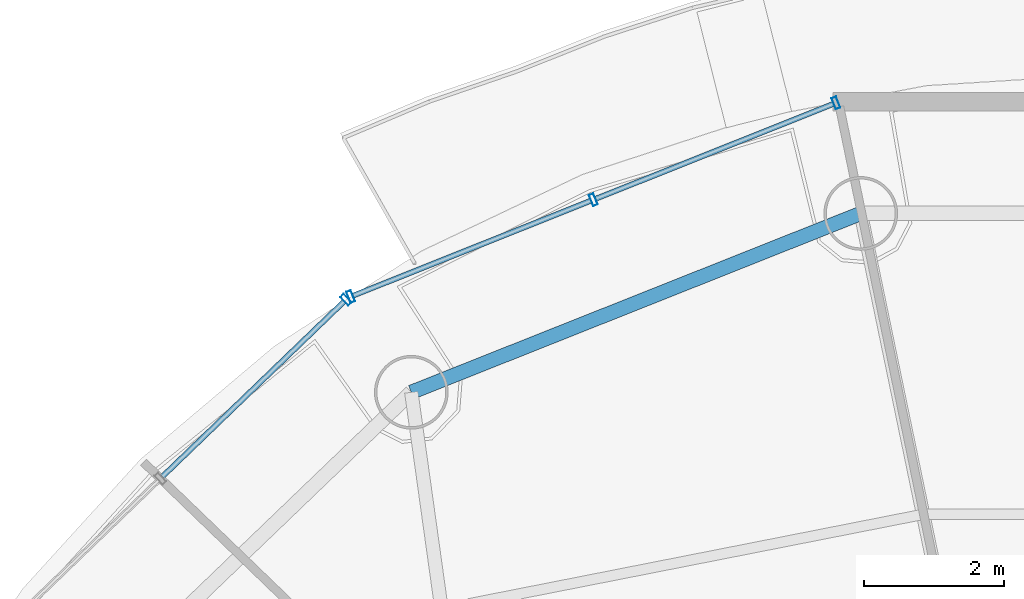
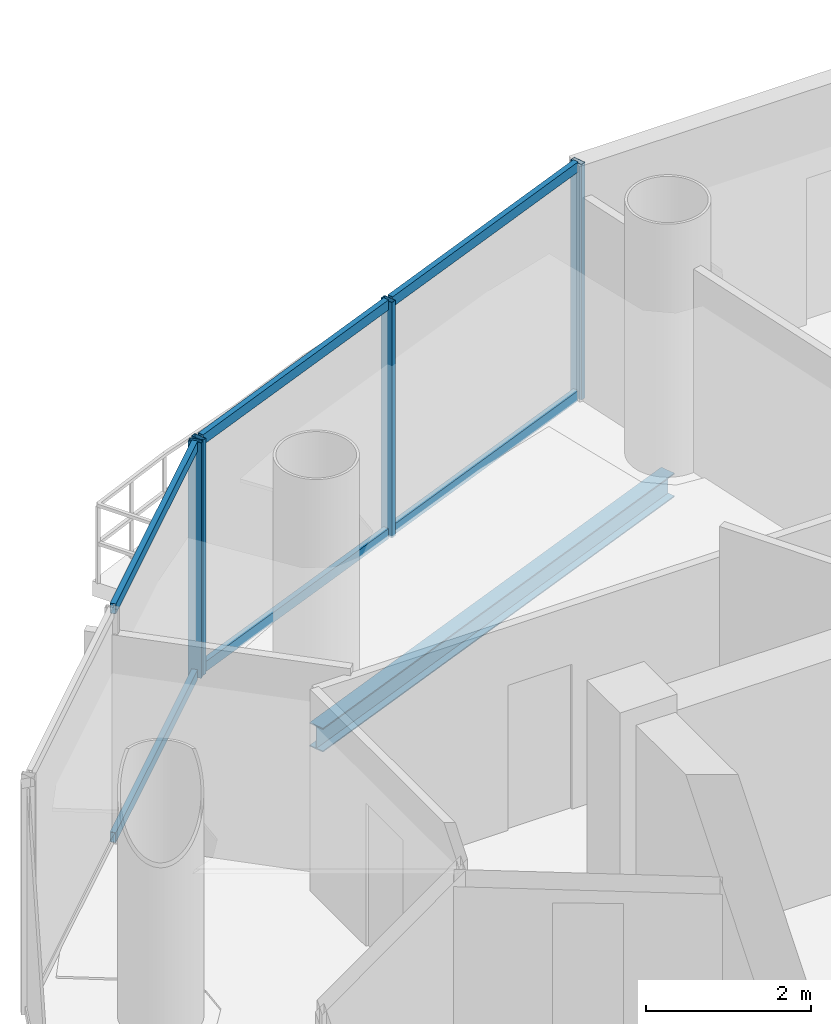
# One storey, part 13 of 23: 10 members, 1 beam, 2 elements without a shape of their own.
"""IFC4 building model written with IfcOpenShell, lengths in metres."""

from ifc_helpers import new_model, si_unit, direction, frame, origin, origin_2d, place, context, subcontext, project, spatial, hollow_rectangle, i_section, extrude, source, transform, mapped, material, material_profile, profile_set, type_object, element, aggregate, save


model = new_model("IFC4")

# Units and contexts
model_context = context("Model", 3, precision=1e-05, world=origin(), true_north=direction((-0.2419218956, 0.970295726276)))
body_context = subcontext(model_context, "Body", "Model", "MODEL_VIEW")
ifc_project = project(units=[si_unit("LENGTHUNIT", "METRE"), si_unit("AREAUNIT", "SQUARE_METRE"), si_unit("VOLUMEUNIT", "CUBIC_METRE"), si_unit("PLANEANGLEUNIT", "RADIAN"), si_unit("MASSUNIT", "GRAM", prefix="KILO")], contexts=[model_context])

# Site, building, storey
site_placement = place(None, origin())
site = spatial("IfcSite", under=ifc_project, at=site_placement, CompositionType="ELEMENT")
building_placement = place(site_placement, origin())
building = spatial("IfcBuilding", under=site, at=building_placement, Name="Cobrevalo Terracotta Tower", CompositionType="ELEMENT")
storey_placement = place(building_placement, frame((0.0, 0.0, 266.949951171875)))
storey = spatial("IfcBuildingStorey", under=building, at=storey_placement, Name="L70", CompositionType="ELEMENT", Elevation=266.949951171875)

# Beam
ifc_material_1 = material(Name="Steel S355", Category="steel")
ifc_material_profile_1 = material_profile(ifc_material_1, i_section(OverallWidth=0.205078125, OverallDepth=0.35400390625, WebThickness=0.009521484375, FlangeThickness=0.016845703125, at=origin_2d()), Name="W 360x79")
ifc_profile_set_1 = profile_set([ifc_material_profile_1], Name="Steel S355")
beam_type = type_object("IfcBeamType", Name="Structural Spandrel W 360x79 (Steel S355)", PredefinedType="SPANDREL", material=ifc_profile_set_1)
beam_placement = place(storey_placement, frame((34.537109375, 43.5224609375, -0.43701171875), z_axis=(-0.929149986048, -0.369702993533, 0.0), x_axis=(0.369702993533, -0.929149986048, 0.0)))
element("IfcBeam", 1, at=beam_placement, inside=storey, type_object=beam_type, Name="L70 perimeter ring spandrel 05", PredefinedType="SPANDREL", context=body_context, shape_type="SweptSolid", body=[
    extrude(i_section(OverallWidth=0.205078125, OverallDepth=0.35400390625, WebThickness=0.009521484375, FlangeThickness=0.016845703125, at=origin_2d()), origin(), (0.0, 0.0, 1.0), 6.88623046875),
])

# Curtain wall, members
ifc_material_2 = material(Name="Anodized aluminium", Category="aluminium")
curtain_wall_type = type_object("IfcCurtainWallType", Name="Upper-tower triple-glazed penthouse curtain wall CW-U3", PredefinedType="NOTDEFINED", material=ifc_material_2)
curtain_wall_1_placement = place(storey_placement, origin())
curtain_wall_1 = element("IfcCurtainWall", 2, at=curtain_wall_1_placement, inside=storey, type_object=curtain_wall_type, Name="L70 curtain wall CW-L70-S05", PredefinedType="NOTDEFINED")
ifc_material_profile_2 = material_profile(ifc_material_2, hollow_rectangle(XDim=0.070068359375, YDim=0.169921875, WallThickness=0.00439453125, at=origin_2d()), Name="CWM 70x170")
ifc_profile_set_2 = profile_set([ifc_material_profile_2], Name="Anodized aluminium")
member_type_1 = type_object("IfcMemberType", Name="Upper tower unitised mullion 70x170", PredefinedType="MULLION", material=ifc_profile_set_2)
shared_shape_1 = source(origin(), body_context, "Body", "SweptSolid", [
    extrude(hollow_rectangle(XDim=0.070068359375, YDim=0.169921875, WallThickness=0.00439453125, at=origin_2d()), origin(), (0.0, 0.0, 1.0), 3.489990234375),
])
member_1_placement = place(storey_placement, frame((34.183837890625, 45.096435546875, 0.0), z_axis=(0.0, 0.0, 1.0), x_axis=(-0.928718980883, -0.370784377433, 0.0)))
member_1 = element("IfcMember", 3, at=member_1_placement, type_object=member_type_1, Name="CW-L70-S05 vertical mullion 01", PredefinedType="MULLION", context=body_context, shape_type="MappedRepresentation", body=[
    mapped(shared_shape_1, transform((0.0, 0.0, 0.0), scale=1.0)),
])
member_2_placement = place(storey_placement, frame((30.729736328125, 43.71728515625, 0.0), z_axis=(0.0, 0.0, 1.0), x_axis=(-0.928718980883, -0.370784377433, 0.0)))
member_2 = element("IfcMember", 4, at=member_2_placement, type_object=member_type_1, Name="CW-L70-S05 vertical mullion 02", PredefinedType="MULLION", context=body_context, shape_type="MappedRepresentation", body=[
    mapped(shared_shape_1, transform((0.0, 0.0, 0.0), scale=1.0)),
])
member_3_placement = place(storey_placement, frame((27.275634765625, 42.33837890625, 0.0), z_axis=(0.0, 0.0, 1.0), x_axis=(-0.928718980883, -0.370784377433, 0.0)))
member_3 = element("IfcMember", 5, at=member_3_placement, type_object=member_type_1, Name="CW-L70-S05 vertical mullion 03", PredefinedType="MULLION", context=body_context, shape_type="MappedRepresentation", body=[
    mapped(shared_shape_1, transform((0.0, 0.0, 0.0), scale=1.0)),
])

curtain_wall_2_placement = place(storey_placement, origin())
curtain_wall_2 = element("IfcCurtainWall", 6, at=curtain_wall_2_placement, inside=storey, type_object=curtain_wall_type, Name="L70 curtain wall CW-L70-S06", PredefinedType="NOTDEFINED")
member_4_placement = place(storey_placement, frame((27.209716796875, 42.2958984375, 0.0), z_axis=(0.0, 0.0, 1.0), x_axis=(-0.71999418085, -0.69398010025, 0.0)))
member_4 = element("IfcMember", 7, at=member_4_placement, type_object=member_type_1, Name="CW-L70-S06 vertical mullion 01", PredefinedType="MULLION", context=body_context, shape_type="MappedRepresentation", body=[
    mapped(shared_shape_1, transform((0.0, 0.0, 0.0), scale=1.0)),
])
ifc_material_profile_3 = material_profile(ifc_material_2, hollow_rectangle(XDim=0.074951171875, YDim=0.14990234375, WallThickness=0.00439453125, at=origin_2d()), Name="CWT 75x150")
ifc_profile_set_3 = profile_set([ifc_material_profile_3], Name="Anodized aluminium")
member_type_2 = type_object("IfcMemberType", Name="Tower unitised aluminium transom 75x150", PredefinedType="USERDEFINED", material=ifc_profile_set_3)
shared_shape_2 = source(origin(), body_context, "Body", "SweptSolid", [
    extrude(hollow_rectangle(XDim=0.074951171875, YDim=0.14990234375, WallThickness=0.00439453125, at=origin_2d()), origin(), (0.0, 0.0, 1.0), 3.59130859375),
])
member_5_placement = place(storey_placement, frame((27.180908203125, 42.26806640625, 0.050048828125), z_axis=(-0.720005628362, -0.693968223427, 0.0), x_axis=(0.693968223427, -0.720005628362, 0.0)))
member_5 = element("IfcMember", 8, at=member_5_placement, type_object=member_type_2, Name="CW-L70-S06 transom B01-T1", ObjectType="TRANSOM", PredefinedType="USERDEFINED", context=body_context, shape_type="MappedRepresentation", body=[
    mapped(shared_shape_2, transform((0.0, 0.0, 0.0), scale=1.0)),
])
member_6_placement = place(storey_placement, frame((27.180908203125, 42.26806640625, 3.43994140625), z_axis=(-0.720005628362, -0.693968223427, 0.0), x_axis=(0.693968223427, -0.720005628362, 0.0)))
member_6 = element("IfcMember", 9, at=member_6_placement, type_object=member_type_2, Name="CW-L70-S06 transom B01-T2", ObjectType="TRANSOM", PredefinedType="USERDEFINED", context=body_context, shape_type="MappedRepresentation", body=[
    mapped(shared_shape_2, transform((0.0, 0.0, 0.0), scale=1.0)),
])
aggregate(curtain_wall_2, [member_4, member_5, member_6])

# Member
shared_shape_3 = source(origin(), body_context, "Body", "SweptSolid", [
    extrude(hollow_rectangle(XDim=0.074951171875, YDim=0.14990234375, WallThickness=0.00439453125, at=origin_2d()), origin(), (0.0, 0.0, 1.0), 3.63916015625),
])
member_7_placement = place(storey_placement, frame((34.146728515625, 45.08154296875, 0.050048828125), z_axis=(-0.928712471544, -0.370800681227, 0.0), x_axis=(0.370800681227, -0.928712471544, 0.0)))
member_7 = element("IfcMember", 10, at=member_7_placement, type_object=member_type_2, Name="CW-L70-S05 transom B01-T1", ObjectType="TRANSOM", PredefinedType="USERDEFINED", context=body_context, shape_type="MappedRepresentation", body=[
    mapped(shared_shape_3, transform((0.0, 0.0, 0.0), scale=1.0)),
])

member_8_placement = place(storey_placement, frame((34.146728515625, 45.08154296875, 3.43994140625), z_axis=(-0.928712471544, -0.370800681227, 0.0), x_axis=(0.370800681227, -0.928712471544, 0.0)))
member_8 = element("IfcMember", 11, at=member_8_placement, type_object=member_type_2, Name="CW-L70-S05 transom B01-T2", ObjectType="TRANSOM", PredefinedType="USERDEFINED", context=body_context, shape_type="MappedRepresentation", body=[
    mapped(shared_shape_3, transform((0.0, 0.0, 0.0), scale=1.0)),
])

member_9_placement = place(storey_placement, frame((30.692626953125, 43.70263671875, 0.050048828125), z_axis=(-0.928712471544, -0.370800681227, 0.0), x_axis=(0.370800681227, -0.928712471544, 0.0)))
member_9 = element("IfcMember", 12, at=member_9_placement, type_object=member_type_2, Name="CW-L70-S05 transom B02-T1", ObjectType="TRANSOM", PredefinedType="USERDEFINED", context=body_context, shape_type="MappedRepresentation", body=[
    mapped(shared_shape_3, transform((0.0, 0.0, 0.0), scale=1.0)),
])

member_10_placement = place(storey_placement, frame((30.692626953125, 43.70263671875, 3.43994140625), z_axis=(-0.928712471544, -0.370800681227, 0.0), x_axis=(0.370800681227, -0.928712471544, 0.0)))
member_10 = element("IfcMember", 13, at=member_10_placement, type_object=member_type_2, Name="CW-L70-S05 transom B02-T2", ObjectType="TRANSOM", PredefinedType="USERDEFINED", context=body_context, shape_type="MappedRepresentation", body=[
    mapped(shared_shape_3, transform((0.0, 0.0, 0.0), scale=1.0)),
])

aggregate(curtain_wall_1, [member_1, member_2, member_3, member_7, member_8, member_9, member_10])

save(model, "model.ifc")
